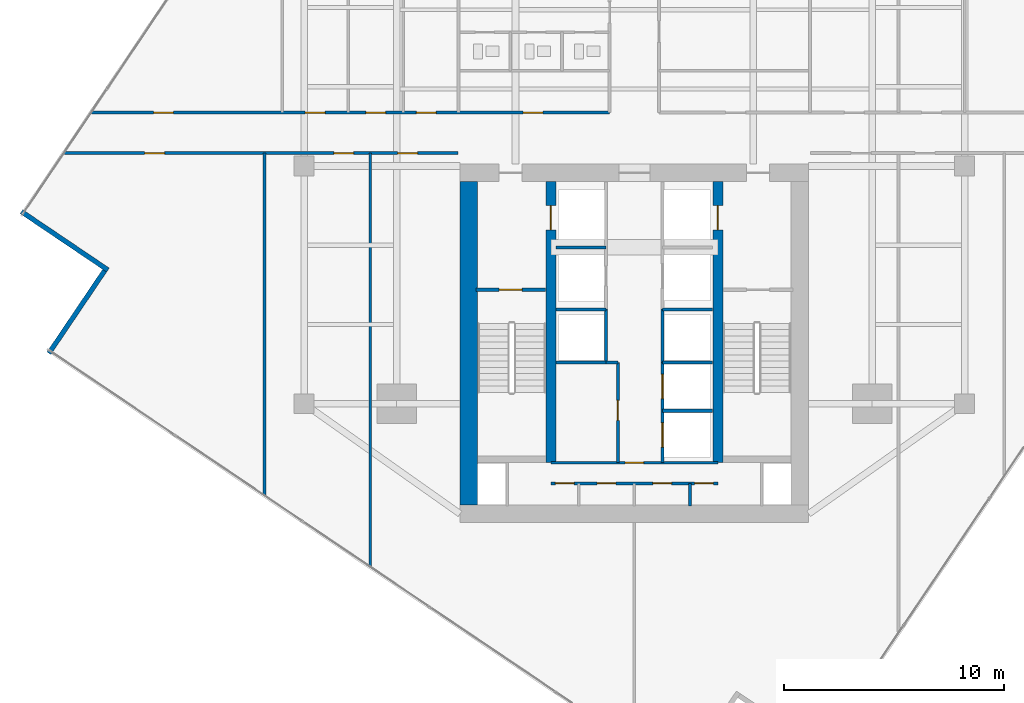
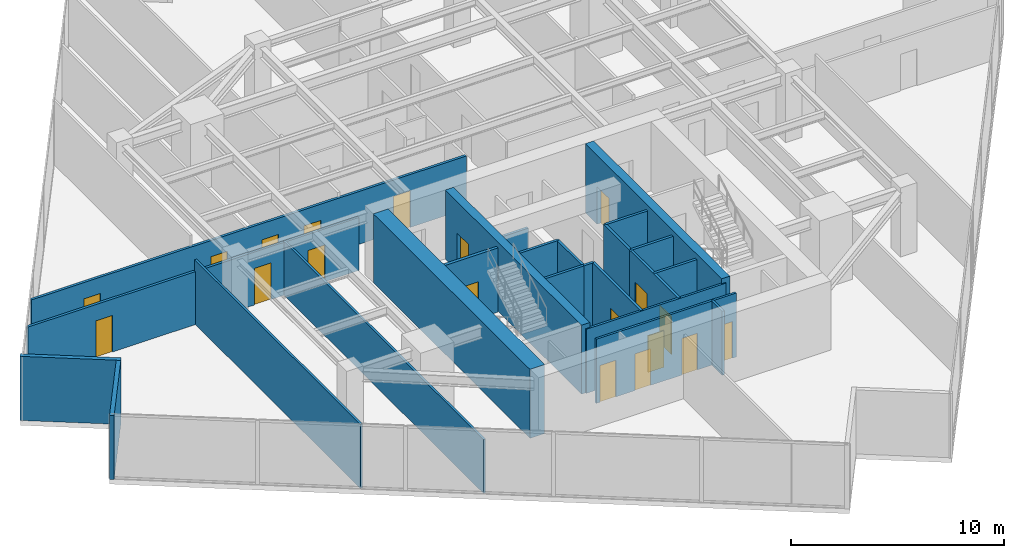
# One storey, part 23 of 27: 24 walls, 19 doors, 19 openings.
"""IFC4 building model written with IfcOpenShell, lengths in metres."""

from ifc_helpers import new_model, si_unit, direction, frame, frame_2d, origin, place, context, subcontext, project, spatial, rectangle, extrude, material, layer, layer_set, type_object, element, fill, save


model = new_model("IFC4")

# Units and contexts
model_context = context("Model", 3, precision=1e-05, world=origin(), true_north=direction((0.0, 1.0)))
body_context = subcontext(model_context, "Body", "Model", "MODEL_VIEW")
ifc_project = project(units=[si_unit("LENGTHUNIT", "METRE"), si_unit("AREAUNIT", "SQUARE_METRE"), si_unit("VOLUMEUNIT", "CUBIC_METRE"), si_unit("PLANEANGLEUNIT", "RADIAN"), si_unit("MASSUNIT", "GRAM", prefix="KILO")], contexts=[model_context])

# Site, building, storey
site_placement = place(None, origin())
site = spatial("IfcSite", under=ifc_project, at=site_placement, CompositionType="ELEMENT")
building_placement = place(site_placement, origin())
building = spatial("IfcBuilding", under=site, at=building_placement, Name="Krantzveldt Concourse Tower", CompositionType="ELEMENT")
storey_placement = place(building_placement, frame((0.0, 0.0, 189.64990234375)))
storey = spatial("IfcBuildingStorey", under=building, at=storey_placement, Name="L46", CompositionType="ELEMENT", Elevation=189.64990234375)

# Walls
ifc_material_1 = material(Name="Anodised aluminium 6063-T6", Category="aluminium")
ifc_layer_1 = layer(ifc_material_1, 0.219970703125, Name="Anodised aluminium 6063-T6", Category="aluminium")
ifc_layer_set_1 = layer_set([ifc_layer_1], Name="Anodised aluminium 6063-T6 (WL-EXT-NOTCH220)")
wall_type_1 = type_object("IfcWallType", Name="WL-EXT-NOTCH220", PredefinedType="ELEMENTEDWALL", material=ifc_layer_set_1)
wall_1_placement = place(storey_placement, frame((8.155029296875, 24.626220703125, 0.0), z_axis=(0.0, 0.0, 1.0), x_axis=(0.829029968461, -0.559204176839, 0.0)))
element("IfcWall", 1, at=wall_1_placement, inside=storey, type_object=wall_type_1, Name="EW-L46-NCH02", PredefinedType="ELEMENTEDWALL", context=body_context, shape_type="SweptSolid", body=[
    extrude(rectangle(XDim=4.744873046875, YDim=0.219970703125, at=frame_2d((2.37255859375, 0.0))), origin(), (0.0, 0.0, 1.0), 3.670166015625),
])
wall_2_placement = place(storey_placement, frame((11.93603515625, 21.943115234375, 0.0), z_axis=(0.0, 0.0, 1.0), x_axis=(-0.559236535969, -0.829008140393, 0.0)))
element("IfcWall", 2, at=wall_2_placement, inside=storey, type_object=wall_type_1, Name="EW-L46-NCH03", PredefinedType="ELEMENTEDWALL", context=body_context, shape_type="SweptSolid", body=[
    extrude(rectangle(XDim=4.52490234375, YDim=0.219970703125, at=frame_2d((2.262451171875, 0.0))), origin(), (0.0, 0.0, 1.0), 3.670166015625),
])

# Wall, opening, door
ifc_material_2 = material(Name="Fire-rated gypsum plasterboard on steel stud", Category="steel")
ifc_layer_2 = layer(ifc_material_2, 0.1201171875, Name="Fire-rated gypsum plasterboard on steel stud", Category="steel")
ifc_layer_set_2 = layer_set([ifc_layer_2], Name="Fire-rated gypsum plasterboard on steel stud (WL-PART-120)")
wall_type_2 = type_object("IfcWallType", Name="WL-PART-120", PredefinedType="PARTITIONING", material=ifc_layer_set_2)
wall_3_placement = place(storey_placement, frame((32.2099609375, 13.219970703125, 0.0), z_axis=(0.0, 0.0, 1.0), x_axis=(1.0, 0.0, 0.0)))
wall_3 = element("IfcWall", 3, at=wall_3_placement, inside=storey, type_object=wall_type_2, Name="WP-L46-CS2H", PredefinedType="PARTITIONING", context=body_context, shape_type="SweptSolid", body=[
    extrude(rectangle(XDim=7.580078125, YDim=0.1201171875, at=frame_2d((3.7900390625, 0.0))), origin(), (0.0, 0.0, 1.0), 3.670166015625),
])
opening_1_placement = place(wall_3_placement, frame((3.364990234375, 0.0, 0.0)))
opening_1 = element("IfcOpeningElement", 4, at=opening_1_placement, cuts=wall_3, Name="Opening D-IN085", PredefinedType="OPENING", context=body_context, shape_type="SweptSolid", body=[
    extrude(rectangle(XDim=0.85009765625, YDim=2.10009765625, at=frame_2d((0.425048828125, 1.050048828125))), frame((0.0, 0.070068359375, 0.0), z_axis=(0.0, -1.0, 0.0), x_axis=(1.0, 0.0, 0.0)), (0.0, 0.0, 1.0), 0.14013671875),
])
ifc_material_3 = material(Name="Hardwood timber", Category="wood")
door_type_1 = type_object("IfcDoorType", Name="DR-INT-850", OperationType="SINGLE_SWING_LEFT", PredefinedType="DOOR", material=ifc_material_3)
door_1_placement = place(opening_1_placement, origin())
door_1 = element("IfcDoor", 5, at=door_1_placement, inside=storey, type_object=door_type_1, Name="DR-L46-LLBS", OperationType="SINGLE_SWING_RIGHT", OverallHeight=2.10009765625, OverallWidth=0.85009765625, PredefinedType="DOOR", context=body_context, shape_type="SweptSolid", body=[
    extrude(rectangle(XDim=0.85009765625, YDim=2.10009765625, at=frame_2d((0.425048828125, 1.050048828125))), frame((0.0, 0.02490234375, 0.0), z_axis=(0.0, -1.0, 0.0), x_axis=(1.0, 0.0, 0.0)), (0.0, 0.0, 1.0), 0.050048828125),
])
fill(opening_1, door_1)

# Wall, openings, doors
wall_4_placement = place(storey_placement, frame((32.2099609375, 12.280029296875, 0.0), z_axis=(0.0, 0.0, 1.0), x_axis=(1.0, 0.0, 0.0)))
wall_4 = element("IfcWall", 6, at=wall_4_placement, inside=storey, type_object=wall_type_2, Name="WP-L46-CSD-HM", PredefinedType="PARTITIONING", context=body_context, shape_type="SweptSolid", body=[
    extrude(rectangle(XDim=7.580078125, YDim=0.1201171875, at=frame_2d((3.7900390625, 0.0))), origin(), (0.0, 0.0, 1.0), 3.670166015625),
])
opening_2_placement = place(wall_4_placement, frame((0.205078125, 0.0, 0.0)))
opening_2 = element("IfcOpeningElement", 7, at=opening_2_placement, cuts=wall_4, Name="Opening D-IN085", PredefinedType="OPENING", context=body_context, shape_type="SweptSolid", body=[
    extrude(rectangle(XDim=0.85009765625, YDim=2.10009765625, at=frame_2d((0.425048828125, 1.050048828125))), frame((0.0, 0.070068359375, 0.0), z_axis=(0.0, -1.0, 0.0), x_axis=(1.0, 0.0, 0.0)), (0.0, 0.0, 1.0), 0.14013671875),
])
opening_3_placement = place(wall_4_placement, frame((2.094970703125, 0.0, 0.0)))
opening_3 = element("IfcOpeningElement", 8, at=opening_3_placement, cuts=wall_4, Name="Opening D-IN085", PredefinedType="OPENING", context=body_context, shape_type="SweptSolid", body=[
    extrude(rectangle(XDim=0.85009765625, YDim=2.10009765625, at=frame_2d((0.425048828125, 1.050048828125))), frame((0.0, 0.070068359375, 0.0), z_axis=(0.0, -1.0, 0.0), x_axis=(1.0, 0.0, 0.0)), (0.0, 0.0, 1.0), 0.14013671875),
])
opening_4_placement = place(wall_4_placement, frame((4.635009765625, 0.0, 0.0)))
opening_4 = element("IfcOpeningElement", 9, at=opening_4_placement, cuts=wall_4, Name="Opening D-IN085", PredefinedType="OPENING", context=body_context, shape_type="SweptSolid", body=[
    extrude(rectangle(XDim=0.85009765625, YDim=2.10009765625, at=frame_2d((0.425048828125, 1.050048828125))), frame((0.0, 0.070068359375, 0.0), z_axis=(0.0, -1.0, 0.0), x_axis=(1.0, 0.0, 0.0)), (0.0, 0.0, 1.0), 0.14013671875),
])
opening_5_placement = place(wall_4_placement, frame((6.52490234375, 0.0, 0.0)))
opening_5 = element("IfcOpeningElement", 10, at=opening_5_placement, cuts=wall_4, Name="Opening D-IN085", PredefinedType="OPENING", context=body_context, shape_type="SweptSolid", body=[
    extrude(rectangle(XDim=0.85009765625, YDim=2.10009765625, at=frame_2d((0.425048828125, 1.050048828125))), frame((0.0, 0.070068359375, 0.0), z_axis=(0.0, -1.0, 0.0), x_axis=(1.0, 0.0, 0.0)), (0.0, 0.0, 1.0), 0.14013671875),
])
door_2_placement = place(opening_2_placement, origin())
door_2 = element("IfcDoor", 11, at=door_2_placement, inside=storey, type_object=door_type_1, Name="DR-L46-CSD1", OperationType="SINGLE_SWING_RIGHT", OverallHeight=2.10009765625, OverallWidth=0.85009765625, PredefinedType="DOOR", context=body_context, shape_type="SweptSolid", body=[
    extrude(rectangle(XDim=0.85009765625, YDim=2.10009765625, at=frame_2d((0.425048828125, 1.050048828125))), frame((0.0, 0.02490234375, 0.0), z_axis=(0.0, -1.0, 0.0), x_axis=(1.0, 0.0, 0.0)), (0.0, 0.0, 1.0), 0.050048828125),
])
fill(opening_2, door_2)
door_3_placement = place(opening_3_placement, origin())
door_3 = element("IfcDoor", 12, at=door_3_placement, inside=storey, type_object=door_type_1, Name="DR-L46-CSD2", OperationType="SINGLE_SWING_RIGHT", OverallHeight=2.10009765625, OverallWidth=0.85009765625, PredefinedType="DOOR", context=body_context, shape_type="SweptSolid", body=[
    extrude(rectangle(XDim=0.85009765625, YDim=2.10009765625, at=frame_2d((0.425048828125, 1.050048828125))), frame((0.0, 0.02490234375, 0.0), z_axis=(0.0, -1.0, 0.0), x_axis=(1.0, 0.0, 0.0)), (0.0, 0.0, 1.0), 0.050048828125),
])
fill(opening_3, door_3)
door_4_placement = place(opening_4_placement, origin())
door_4 = element("IfcDoor", 13, at=door_4_placement, inside=storey, type_object=door_type_1, Name="DR-L46-CSD3", OperationType="SINGLE_SWING_RIGHT", OverallHeight=2.10009765625, OverallWidth=0.85009765625, PredefinedType="DOOR", context=body_context, shape_type="SweptSolid", body=[
    extrude(rectangle(XDim=0.85009765625, YDim=2.10009765625, at=frame_2d((0.425048828125, 1.050048828125))), frame((0.0, 0.02490234375, 0.0), z_axis=(0.0, -1.0, 0.0), x_axis=(1.0, 0.0, 0.0)), (0.0, 0.0, 1.0), 0.050048828125),
])
fill(opening_4, door_4)
door_5_placement = place(opening_5_placement, origin())
door_5 = element("IfcDoor", 14, at=door_5_placement, inside=storey, type_object=door_type_1, Name="DR-L46-CSD4", OperationType="SINGLE_SWING_RIGHT", OverallHeight=2.10009765625, OverallWidth=0.85009765625, PredefinedType="DOOR", context=body_context, shape_type="SweptSolid", body=[
    extrude(rectangle(XDim=0.85009765625, YDim=2.10009765625, at=frame_2d((0.425048828125, 1.050048828125))), frame((0.0, 0.02490234375, 0.0), z_axis=(0.0, -1.0, 0.0), x_axis=(1.0, 0.0, 0.0)), (0.0, 0.0, 1.0), 0.050048828125),
])
fill(opening_5, door_5)

# Walls
wall_5_placement = place(storey_placement, frame((38.530029296875, 11.25, 0.0), z_axis=(0.0, 0.0, 1.0), x_axis=(0.0, 1.0, 0.0)))
element("IfcWall", 15, at=wall_5_placement, inside=storey, type_object=wall_type_2, Name="WP-L46-CSD-V3", PredefinedType="PARTITIONING", context=body_context, shape_type="SweptSolid", body=[
    extrude(rectangle(XDim=1.030029296875, YDim=0.1201171875, at=frame_2d((0.51513671875, 0.0))), origin(), (0.0, 0.0, 1.0), 3.670166015625),
])
wall_6_placement = place(storey_placement, frame((19.199951171875, 11.72412109375, 0.0), z_axis=(0.0, 0.0, 1.0), x_axis=(0.0, 1.0, 0.0)))
element("IfcWall", 16, at=wall_6_placement, inside=storey, type_object=wall_type_2, Name="WP-L46-SWX1", PredefinedType="PARTITIONING", context=body_context, shape_type="SweptSolid", body=[
    extrude(rectangle(XDim=15.555908203125, YDim=0.1201171875, at=frame_2d((7.77783203125, 0.0))), origin(), (0.0, 0.0, 1.0), 3.670166015625),
])
wall_7_placement = place(storey_placement, frame((24.0, 8.486572265625, 0.0), z_axis=(0.0, 0.0, 1.0), x_axis=(0.0, 1.0, 0.0)))
element("IfcWall", 17, at=wall_7_placement, inside=storey, type_object=wall_type_2, Name="WP-L46-SWX2", PredefinedType="PARTITIONING", context=body_context, shape_type="SweptSolid", body=[
    extrude(rectangle(XDim=18.79345703125, YDim=0.1201171875, at=frame_2d((9.396728515625, 0.0))), origin(), (0.0, 0.0, 1.0), 3.080078125),
])

# Wall, openings, doors
ifc_layer_3 = layer(ifc_material_2, 0.139892578125, Name="Fire-rated gypsum plasterboard on steel stud", Category="steel")
ifc_layer_set_3 = layer_set([ifc_layer_3], Name="Fire-rated gypsum plasterboard on steel stud (WL-PART-140)")
wall_type_3 = type_object("IfcWallType", Name="WL-PART-140", PredefinedType="PARTITIONING", material=ifc_layer_set_3)
wall_8_placement = place(storey_placement, frame((11.32470703125, 29.1201171875, 0.0), z_axis=(0.0, 0.0, 1.0), x_axis=(1.0, 0.0, 0.0)))
wall_8 = element("IfcWall", 18, at=wall_8_placement, inside=storey, type_object=wall_type_3, Name="WP-L46-EWNL", PredefinedType="PARTITIONING", context=body_context, shape_type="SweptSolid", body=[
    extrude(rectangle(XDim=23.55517578125, YDim=0.139892578125, at=frame_2d((11.777587890625, 0.0))), origin(), (0.0, 0.0, 1.0), 3.030029296875),
])
opening_6_placement = place(wall_8_placement, frame((19.625244140625, 0.0, 0.0)))
opening_6 = element("IfcOpeningElement", 19, at=opening_6_placement, cuts=wall_8, Name="Opening D-IN090", PredefinedType="OPENING", context=body_context, shape_type="SweptSolid", body=[
    extrude(rectangle(XDim=0.89990234375, YDim=2.10009765625, at=frame_2d((0.449951171875, 1.050048828125))), frame((0.0, 0.080078125, 0.0), z_axis=(0.0, -1.0, 0.0), x_axis=(1.0, 0.0, 0.0)), (0.0, 0.0, 1.0), 0.159912109375),
])
opening_7_placement = place(wall_8_placement, frame((2.835205078125, 0.0, 0.0)))
opening_7 = element("IfcOpeningElement", 20, at=opening_7_placement, cuts=wall_8, Name="Opening D-IN090", PredefinedType="OPENING", context=body_context, shape_type="SweptSolid", body=[
    extrude(rectangle(XDim=0.89990234375, YDim=2.10009765625, at=frame_2d((0.449951171875, 1.050048828125))), frame((0.0, 0.080078125, 0.0), z_axis=(0.0, -1.0, 0.0), x_axis=(1.0, 0.0, 0.0)), (0.0, 0.0, 1.0), 0.159912109375),
])
opening_8_placement = place(wall_8_placement, frame((9.725341796875, 0.0, 0.0)))
opening_8 = element("IfcOpeningElement", 21, at=opening_8_placement, cuts=wall_8, Name="Opening D-IN090", PredefinedType="OPENING", context=body_context, shape_type="SweptSolid", body=[
    extrude(rectangle(XDim=0.89990234375, YDim=2.10009765625, at=frame_2d((0.449951171875, 1.050048828125))), frame((0.0, 0.080078125, 0.0), z_axis=(0.0, -1.0, 0.0), x_axis=(1.0, 0.0, 0.0)), (0.0, 0.0, 1.0), 0.159912109375),
])
opening_9_placement = place(wall_8_placement, frame((12.475341796875, 0.0, 0.0)))
opening_9 = element("IfcOpeningElement", 22, at=opening_9_placement, cuts=wall_8, Name="Opening D-IN090", PredefinedType="OPENING", context=body_context, shape_type="SweptSolid", body=[
    extrude(rectangle(XDim=0.89990234375, YDim=2.10009765625, at=frame_2d((0.449951171875, 1.050048828125))), frame((0.0, 0.080078125, 0.0), z_axis=(0.0, -1.0, 0.0), x_axis=(1.0, 0.0, 0.0)), (0.0, 0.0, 1.0), 0.159912109375),
])
opening_10_placement = place(wall_8_placement, frame((14.775390625, 0.0, 0.0)))
opening_10 = element("IfcOpeningElement", 23, at=opening_10_placement, cuts=wall_8, Name="Opening D-IN090", PredefinedType="OPENING", context=body_context, shape_type="SweptSolid", body=[
    extrude(rectangle(XDim=0.89990234375, YDim=2.10009765625, at=frame_2d((0.449951171875, 1.050048828125))), frame((0.0, 0.080078125, 0.0), z_axis=(0.0, -1.0, 0.0), x_axis=(1.0, 0.0, 0.0)), (0.0, 0.0, 1.0), 0.159912109375),
])
door_type_2 = type_object("IfcDoorType", Name="DR-INT-900", OperationType="SINGLE_SWING_LEFT", PredefinedType="DOOR", material=ifc_material_3)
door_6_placement = place(opening_6_placement, origin())
door_6 = element("IfcDoor", 24, at=door_6_placement, inside=storey, type_object=door_type_2, Name="DR-L46-ALCL", OperationType="SINGLE_SWING_LEFT", OverallHeight=2.10009765625, OverallWidth=0.89990234375, PredefinedType="DOOR", context=body_context, shape_type="SweptSolid", body=[
    extrude(rectangle(XDim=0.89990234375, YDim=2.10009765625, at=frame_2d((0.449951171875, 1.050048828125))), frame((0.0, 0.02490234375, 0.0), z_axis=(0.0, -1.0, 0.0), x_axis=(1.0, 0.0, 0.0)), (0.0, 0.0, 1.0), 0.050048828125),
])
fill(opening_6, door_6)
door_7_placement = place(opening_7_placement, origin())
door_7 = element("IfcDoor", 25, at=door_7_placement, inside=storey, type_object=door_type_2, Name="DR-L46-NWX1", OperationType="SINGLE_SWING_LEFT", OverallHeight=2.10009765625, OverallWidth=0.89990234375, PredefinedType="DOOR", context=body_context, shape_type="SweptSolid", body=[
    extrude(rectangle(XDim=0.89990234375, YDim=2.10009765625, at=frame_2d((0.449951171875, 1.050048828125))), frame((0.0, 0.02490234375, 0.0), z_axis=(0.0, -1.0, 0.0), x_axis=(1.0, 0.0, 0.0)), (0.0, 0.0, 1.0), 0.050048828125),
])
fill(opening_7, door_7)
door_8_placement = place(opening_8_placement, origin())
door_8 = element("IfcDoor", 26, at=door_8_placement, inside=storey, type_object=door_type_2, Name="DR-L46-NWX2", OperationType="SINGLE_SWING_LEFT", OverallHeight=2.10009765625, OverallWidth=0.89990234375, PredefinedType="DOOR", context=body_context, shape_type="SweptSolid", body=[
    extrude(rectangle(XDim=0.89990234375, YDim=2.10009765625, at=frame_2d((0.449951171875, 1.050048828125))), frame((0.0, 0.02490234375, 0.0), z_axis=(0.0, -1.0, 0.0), x_axis=(1.0, 0.0, 0.0)), (0.0, 0.0, 1.0), 0.050048828125),
])
fill(opening_8, door_8)
door_9_placement = place(opening_9_placement, origin())
door_9 = element("IfcDoor", 27, at=door_9_placement, inside=storey, type_object=door_type_2, Name="DR-L46-NWX3", OperationType="SINGLE_SWING_LEFT", OverallHeight=2.10009765625, OverallWidth=0.89990234375, PredefinedType="DOOR", context=body_context, shape_type="SweptSolid", body=[
    extrude(rectangle(XDim=0.89990234375, YDim=2.10009765625, at=frame_2d((0.449951171875, 1.050048828125))), frame((0.0, 0.02490234375, 0.0), z_axis=(0.0, -1.0, 0.0), x_axis=(1.0, 0.0, 0.0)), (0.0, 0.0, 1.0), 0.050048828125),
])
fill(opening_9, door_9)
door_10_placement = place(opening_10_placement, origin())
door_10 = element("IfcDoor", 28, at=door_10_placement, inside=storey, type_object=door_type_2, Name="DR-L46-NWX4", OperationType="SINGLE_SWING_LEFT", OverallHeight=2.10009765625, OverallWidth=0.89990234375, PredefinedType="DOOR", context=body_context, shape_type="SweptSolid", body=[
    extrude(rectangle(XDim=0.89990234375, YDim=2.10009765625, at=frame_2d((0.449951171875, 1.050048828125))), frame((0.0, 0.02490234375, 0.0), z_axis=(0.0, -1.0, 0.0), x_axis=(1.0, 0.0, 0.0)), (0.0, 0.0, 1.0), 0.050048828125),
])
fill(opening_10, door_10)

wall_9_placement = place(storey_placement, frame((10.08349609375, 27.280029296875, 0.0), z_axis=(0.0, 0.0, 1.0), x_axis=(1.0, 0.0, 0.0)))
wall_9 = element("IfcWall", 29, at=wall_9_placement, inside=storey, type_object=wall_type_3, Name="WP-L46-EWSL", PredefinedType="PARTITIONING", context=body_context, shape_type="SweptSolid", body=[
    extrude(rectangle(XDim=17.91650390625, YDim=0.139892578125, at=frame_2d((8.958251953125, 0.0))), origin(), (0.0, 0.0, 1.0), 3.030029296875),
])
opening_11_placement = place(wall_9_placement, frame((3.676513671875, 0.0, 0.0)))
opening_11 = element("IfcOpeningElement", 30, at=opening_11_placement, cuts=wall_9, Name="Opening D-IN090", PredefinedType="OPENING", context=body_context, shape_type="SweptSolid", body=[
    extrude(rectangle(XDim=0.89990234375, YDim=2.10009765625, at=frame_2d((0.449951171875, 1.050048828125))), frame((0.0, 0.080078125, 0.0), z_axis=(0.0, -1.0, 0.0), x_axis=(1.0, 0.0, 0.0)), (0.0, 0.0, 1.0), 0.159912109375),
])
opening_12_placement = place(wall_9_placement, frame((12.266357421875, 0.0, 0.0)))
opening_12 = element("IfcOpeningElement", 31, at=opening_12_placement, cuts=wall_9, Name="Opening D-IN090", PredefinedType="OPENING", context=body_context, shape_type="SweptSolid", body=[
    extrude(rectangle(XDim=0.89990234375, YDim=2.10009765625, at=frame_2d((0.449951171875, 1.050048828125))), frame((0.0, 0.080078125, 0.0), z_axis=(0.0, -1.0, 0.0), x_axis=(1.0, 0.0, 0.0)), (0.0, 0.0, 1.0), 0.159912109375),
])
opening_13_placement = place(wall_9_placement, frame((15.16650390625, 0.0, 0.0)))
opening_13 = element("IfcOpeningElement", 32, at=opening_13_placement, cuts=wall_9, Name="Opening D-IN090", PredefinedType="OPENING", context=body_context, shape_type="SweptSolid", body=[
    extrude(rectangle(XDim=0.89990234375, YDim=2.10009765625, at=frame_2d((0.449951171875, 1.050048828125))), frame((0.0, 0.080078125, 0.0), z_axis=(0.0, -1.0, 0.0), x_axis=(1.0, 0.0, 0.0)), (0.0, 0.0, 1.0), 0.159912109375),
])
door_11_placement = place(opening_11_placement, origin())
door_11 = element("IfcDoor", 33, at=door_11_placement, inside=storey, type_object=door_type_2, Name="DR-L46-SWX1", OperationType="SINGLE_SWING_LEFT", OverallHeight=2.10009765625, OverallWidth=0.89990234375, PredefinedType="DOOR", context=body_context, shape_type="SweptSolid", body=[
    extrude(rectangle(XDim=0.89990234375, YDim=2.10009765625, at=frame_2d((0.449951171875, 1.050048828125))), frame((0.0, 0.02490234375, 0.0), z_axis=(0.0, -1.0, 0.0), x_axis=(1.0, 0.0, 0.0)), (0.0, 0.0, 1.0), 0.050048828125),
])
fill(opening_11, door_11)
door_12_placement = place(opening_12_placement, origin())
door_12 = element("IfcDoor", 34, at=door_12_placement, inside=storey, type_object=door_type_2, Name="DR-L46-SWX2", OperationType="SINGLE_SWING_LEFT", OverallHeight=2.10009765625, OverallWidth=0.89990234375, PredefinedType="DOOR", context=body_context, shape_type="SweptSolid", body=[
    extrude(rectangle(XDim=0.89990234375, YDim=2.10009765625, at=frame_2d((0.449951171875, 1.050048828125))), frame((0.0, 0.02490234375, 0.0), z_axis=(0.0, -1.0, 0.0), x_axis=(1.0, 0.0, 0.0)), (0.0, 0.0, 1.0), 0.050048828125),
])
fill(opening_12, door_12)
door_13_placement = place(opening_13_placement, origin())
door_13 = element("IfcDoor", 35, at=door_13_placement, inside=storey, type_object=door_type_2, Name="DR-L46-SWX3", OperationType="SINGLE_SWING_LEFT", OverallHeight=2.10009765625, OverallWidth=0.89990234375, PredefinedType="DOOR", context=body_context, shape_type="SweptSolid", body=[
    extrude(rectangle(XDim=0.89990234375, YDim=2.10009765625, at=frame_2d((0.449951171875, 1.050048828125))), frame((0.0, 0.02490234375, 0.0), z_axis=(0.0, -1.0, 0.0), x_axis=(1.0, 0.0, 0.0)), (0.0, 0.0, 1.0), 0.050048828125),
])
fill(opening_13, door_13)

# Walls
ifc_layer_4 = layer(ifc_material_2, 0.139892578125, Name="Fire-rated gypsum plasterboard on steel stud", Category="steel")
ifc_layer_set_4 = layer_set([ifc_layer_4], Name="Fire-rated gypsum plasterboard on steel stud (WL-PART-FR140)")
wall_type_4 = type_object("IfcWallType", Name="WL-PART-FR140", PredefinedType="PARTITIONING", material=ifc_layer_set_4)
wall_10_placement = place(storey_placement, frame((32.449951171875, 23.0, 0.0), z_axis=(0.0, 0.0, 1.0), x_axis=(1.0, 0.0, 0.0)))
element("IfcWall", 36, at=wall_10_placement, inside=storey, type_object=wall_type_4, Name="WP-L46-RISH", PredefinedType="PARTITIONING", context=body_context, shape_type="SweptSolid", body=[
    extrude(rectangle(XDim=2.27001953125, YDim=0.139892578125, at=frame_2d((1.135009765625, 0.0))), origin(), (0.0, 0.0, 1.0), 2.670166015625),
])
for number, where, z_axis, x_axis, name in (
    (37, (34.719970703125, 17.780029296875, 0.0), (0.0, 0.0, 1.0), (0.0, 1.0, 0.0), "WP-L46-SHNW2"),
    (38, (37.280029296875, 17.780029296875, 0.0), (0.0, 0.0, 1.0), (0.0, 1.0, 0.0), "WP-L46-SHNE2"),
):
    element("IfcWall", number, at=place(storey_placement, frame(where, z_axis=z_axis, x_axis=x_axis)), inside=storey, type_object=wall_type_4, Name=name, PredefinedType="PARTITIONING", context=body_context, shape_type="SweptSolid", body=[
        extrude(rectangle(XDim=2.419921875, YDim=0.139892578125, at=frame_2d((1.2099609375, 0.0))), origin(), (0.0, 0.0, 1.0), 3.670166015625),
    ])
for number, where, z_axis, x_axis, name in (
    (39, (32.449951171875, 17.780029296875, 0.0), (0.0, 0.0, 1.0), (1.0, 0.0, 0.0), "WP-L46-DIVW2"),
    (40, (32.449951171875, 20.179931640625, 0.0), (0.0, 0.0, 1.0), (1.0, 0.0, 0.0), "WP-L46-DIVW3"),
    (41, (37.280029296875, 17.780029296875, 0.0), (0.0, 0.0, 1.0), (1.0, 0.0, 0.0), "WP-L46-DIVE2"),
    (42, (37.280029296875, 20.179931640625, 0.0), (0.0, 0.0, 1.0), (1.0, 0.0, 0.0), "WP-L46-DIVE3"),
):
    element("IfcWall", number, at=place(storey_placement, frame(where, z_axis=z_axis, x_axis=x_axis)), inside=storey, type_object=wall_type_4, Name=name, PredefinedType="PARTITIONING", context=body_context, shape_type="SweptSolid", body=[
        extrude(rectangle(XDim=2.27001953125, YDim=0.139892578125, at=frame_2d((1.135009765625, 0.0))), origin(), (0.0, 0.0, 1.0), 3.670166015625),
    ])

# Wall, opening, door
wall_11_placement = place(storey_placement, frame((35.25, 13.219970703125, 0.0), z_axis=(0.0, 0.0, 1.0), x_axis=(0.0, 1.0, 0.0)))
wall_11 = element("IfcWall", 43, at=wall_11_placement, inside=storey, type_object=wall_type_4, Name="WP-L46-RECW", PredefinedType="PARTITIONING", context=body_context, shape_type="SweptSolid", body=[
    extrude(rectangle(XDim=4.56005859375, YDim=0.139892578125, at=frame_2d((2.280029296875, 0.0))), origin(), (0.0, 0.0, 1.0), 3.670166015625),
])
opening_14_placement = place(wall_11_placement, frame((1.929931640625, 0.0, 0.0)))
opening_14 = element("IfcOpeningElement", 44, at=opening_14_placement, cuts=wall_11, Name="Opening D-FD090", PredefinedType="OPENING", context=body_context, shape_type="SweptSolid", body=[
    extrude(rectangle(XDim=0.89990234375, YDim=2.10009765625, at=frame_2d((0.449951171875, 1.050048828125))), frame((0.0, 0.080078125, 0.0), z_axis=(0.0, -1.0, 0.0), x_axis=(1.0, 0.0, 0.0)), (0.0, 0.0, 1.0), 0.159912109375),
])
door_type_3 = type_object("IfcDoorType", Name="DR-FD60-900", OperationType="SINGLE_SWING_LEFT", PredefinedType="DOOR", material=ifc_material_3)
door_14_placement = place(opening_14_placement, origin())
door_14 = element("IfcDoor", 45, at=door_14_placement, inside=storey, type_object=door_type_3, Name="DR-L46-RECW", OperationType="SINGLE_SWING_LEFT", OverallHeight=2.10009765625, OverallWidth=0.89990234375, PredefinedType="DOOR", context=body_context, shape_type="SweptSolid", body=[
    extrude(rectangle(XDim=0.89990234375, YDim=2.10009765625, at=frame_2d((0.449951171875, 1.050048828125))), frame((0.0, 0.02490234375, 0.0), z_axis=(0.0, -1.0, 0.0), x_axis=(1.0, 0.0, 0.0)), (0.0, 0.0, 1.0), 0.050048828125),
])
fill(opening_14, door_14)

# Wall
wall_12_placement = place(storey_placement, frame((34.719970703125, 17.780029296875, 0.0), z_axis=(0.0, 0.0, 1.0), x_axis=(1.0, 0.0, 0.0)))
element("IfcWall", 46, at=wall_12_placement, inside=storey, type_object=wall_type_4, Name="WP-L46-RECWN", PredefinedType="PARTITIONING", context=body_context, shape_type="SweptSolid", body=[
    extrude(rectangle(XDim=0.530029296875, YDim=0.139892578125, at=frame_2d((0.26513671875, 0.0))), origin(), (0.0, 0.0, 1.0), 3.670166015625),
])

# Wall, openings, doors
wall_13_placement = place(storey_placement, frame((37.280029296875, 13.219970703125, 0.0), z_axis=(0.0, 0.0, 1.0), x_axis=(0.0, 1.0, 0.0)))
wall_13 = element("IfcWall", 47, at=wall_13_placement, inside=storey, type_object=wall_type_4, Name="WP-L46-SHSE", PredefinedType="PARTITIONING", context=body_context, shape_type="SweptSolid", body=[
    extrude(rectangle(XDim=4.56005859375, YDim=0.139892578125, at=frame_2d((2.280029296875, 0.0))), origin(), (0.0, 0.0, 1.0), 3.670166015625),
])
opening_15_placement = place(wall_13_placement, frame((0.7099609375, 0.0, 0.0)))
opening_15 = element("IfcOpeningElement", 48, at=opening_15_placement, cuts=wall_13, Name="Opening LD", PredefinedType="OPENING", context=body_context, shape_type="SweptSolid", body=[
    extrude(rectangle(XDim=1.10009765625, YDim=2.14990234375, at=frame_2d((0.550048828125, 1.074951171875))), frame((0.0, 0.080078125, 0.0), z_axis=(0.0, -1.0, 0.0), x_axis=(1.0, 0.0, 0.0)), (0.0, 0.0, 1.0), 0.159912109375),
])
opening_16_placement = place(wall_13_placement, frame((2.909912109375, 0.0, 0.0)))
opening_16 = element("IfcOpeningElement", 49, at=opening_16_placement, cuts=wall_13, Name="Opening LD", PredefinedType="OPENING", context=body_context, shape_type="SweptSolid", body=[
    extrude(rectangle(XDim=1.10009765625, YDim=2.14990234375, at=frame_2d((0.550048828125, 1.074951171875))), frame((0.0, 0.080078125, 0.0), z_axis=(0.0, -1.0, 0.0), x_axis=(1.0, 0.0, 0.0)), (0.0, 0.0, 1.0), 0.159912109375),
])
ifc_material_4 = material(Name="Stainless steel 316L", Category="steel")
door_type_4 = type_object("IfcDoorType", Name="DR-SLIDE-LD1100", OperationType="DOUBLE_DOOR_SLIDING", PredefinedType="DOOR", material=ifc_material_4)
door_15_placement = place(opening_15_placement, origin())
door_15 = element("IfcDoor", 50, at=door_15_placement, inside=storey, type_object=door_type_4, Name="LD-L46-PM1", OperationType="DOUBLE_DOOR_SLIDING", OverallHeight=2.14990234375, OverallWidth=1.10009765625, PredefinedType="DOOR", context=body_context, shape_type="SweptSolid", body=[
    extrude(rectangle(XDim=1.10009765625, YDim=2.14990234375, at=frame_2d((0.550048828125, 1.074951171875))), frame((0.0, 0.02490234375, 0.0), z_axis=(0.0, -1.0, 0.0), x_axis=(1.0, 0.0, 0.0)), (0.0, 0.0, 1.0), 0.050048828125),
])
fill(opening_15, door_15)
door_16_placement = place(opening_16_placement, origin())
door_16 = element("IfcDoor", 51, at=door_16_placement, inside=storey, type_object=door_type_4, Name="LD-L46-PM2", OperationType="DOUBLE_DOOR_SLIDING", OverallHeight=2.14990234375, OverallWidth=1.10009765625, PredefinedType="DOOR", context=body_context, shape_type="SweptSolid", body=[
    extrude(rectangle(XDim=1.10009765625, YDim=2.14990234375, at=frame_2d((0.550048828125, 1.074951171875))), frame((0.0, 0.02490234375, 0.0), z_axis=(0.0, -1.0, 0.0), x_axis=(1.0, 0.0, 0.0)), (0.0, 0.0, 1.0), 0.050048828125),
])
fill(opening_16, door_16)

# Wall
wall_14_placement = place(storey_placement, frame((37.280029296875, 15.580078125, 0.0), z_axis=(0.0, 0.0, 1.0), x_axis=(1.0, 0.0, 0.0)))
element("IfcWall", 52, at=wall_14_placement, inside=storey, type_object=wall_type_4, Name="WP-L46-DIVE1", PredefinedType="PARTITIONING", context=body_context, shape_type="SweptSolid", body=[
    extrude(rectangle(XDim=2.27001953125, YDim=0.139892578125, at=frame_2d((1.135009765625, 0.0))), origin(), (0.0, 0.0, 1.0), 3.670166015625),
])

# Wall, opening, door
ifc_layer_5 = layer(ifc_material_2, 0.159912109375, Name="Fire-rated gypsum plasterboard on steel stud", Category="steel")
ifc_layer_set_5 = layer_set([ifc_layer_5], Name="Fire-rated gypsum plasterboard on steel stud (WL-PART-FR160)")
wall_type_5 = type_object("IfcWallType", Name="WL-PART-FR160", PredefinedType="PARTITIONING", material=ifc_layer_set_5)
wall_15_placement = place(storey_placement, frame((28.800048828125, 21.080078125, 0.0), z_axis=(0.0, 0.0, 1.0), x_axis=(1.0, 0.0, 0.0)))
wall_15 = element("IfcWall", 53, at=wall_15_placement, inside=storey, type_object=wall_type_5, Name="WP-L46-ST1", PredefinedType="PARTITIONING", context=body_context, shape_type="SweptSolid", body=[
    extrude(rectangle(XDim=3.159912109375, YDim=0.159912109375, at=frame_2d((1.580078125, 0.0))), origin(), (0.0, 0.0, 1.0), 3.670166015625),
])
opening_17_placement = place(wall_15_placement, frame((1.054931640625, 0.0, 0.0)))
opening_17 = element("IfcOpeningElement", 54, at=opening_17_placement, cuts=wall_15, Name="Opening D-FD105", PredefinedType="OPENING", context=body_context, shape_type="SweptSolid", body=[
    extrude(rectangle(XDim=1.050048828125, YDim=2.10009765625, at=frame_2d((0.52490234375, 1.050048828125))), frame((0.0, 0.08984375, 0.0), z_axis=(0.0, -1.0, 0.0), x_axis=(1.0, 0.0, 0.0)), (0.0, 0.0, 1.0), 0.179931640625),
])
ifc_material_5 = material(Name="Galvanised steel", Category="steel")
door_type_5 = type_object("IfcDoorType", Name="DR-FD120-1050", OperationType="SINGLE_SWING_LEFT", PredefinedType="DOOR", material=ifc_material_5)
door_17_placement = place(opening_17_placement, origin())
door_17 = element("IfcDoor", 55, at=door_17_placement, inside=storey, type_object=door_type_5, Name="DR-L46-ST1", OperationType="SINGLE_SWING_RIGHT", OverallHeight=2.10009765625, OverallWidth=1.050048828125, PredefinedType="DOOR", context=body_context, shape_type="SweptSolid", body=[
    extrude(rectangle(XDim=1.050048828125, YDim=2.10009765625, at=frame_2d((0.52490234375, 1.050048828125))), frame((0.0, 0.02490234375, 0.0), z_axis=(0.0, -1.0, 0.0), x_axis=(1.0, 0.0, 0.0)), (0.0, 0.0, 1.0), 0.050048828125),
])
fill(opening_17, door_17)

ifc_material_6 = material(Name="Concrete C50/60", Category="concrete")
ifc_layer_6 = layer(ifc_material_6, 0.449951171875, Name="Concrete C50/60", Category="concrete")
ifc_layer_set_6 = layer_set([ifc_layer_6], Name="Concrete C50/60 (WL-SHEAR-450)")
wall_type_6 = type_object("IfcWallType", Name="WL-SHEAR-450", PredefinedType="SHEAR", material=ifc_layer_set_6)
wall_16_placement = place(storey_placement, frame((32.205078125, 13.219970703125, 0.0), z_axis=(0.0, 0.0, 1.0), x_axis=(0.0, 1.0, 0.0)))
wall_16 = element("IfcWall", 56, at=wall_16_placement, inside=storey, type_object=wall_type_6, Name="CW-L46-IW", PredefinedType="SHEAR", context=body_context, shape_type="SweptSolid", body=[
    extrude(rectangle(XDim=12.780029296875, YDim=0.449951171875, at=frame_2d((6.39013671875, 0.0))), origin(), (0.0, 0.0, 1.0), 3.9501953125),
])
opening_18_placement = place(wall_16_placement, frame((10.580078125, 0.0, 0.0)))
opening_18 = element("IfcOpeningElement", 57, at=opening_18_placement, cuts=wall_16, Name="Opening LD", PredefinedType="OPENING", context=body_context, shape_type="SweptSolid", body=[
    extrude(rectangle(XDim=1.10009765625, YDim=2.14990234375, at=frame_2d((0.550048828125, 1.074951171875))), frame((0.0, 0.23486328125, 0.0), z_axis=(0.0, -1.0, 0.0), x_axis=(1.0, 0.0, 0.0)), (0.0, 0.0, 1.0), 0.469970703125),
])
door_18_placement = place(opening_18_placement, origin())
door_18 = element("IfcDoor", 58, at=door_18_placement, inside=storey, type_object=door_type_4, Name="LD-L46-FL1", OperationType="DOUBLE_DOOR_SLIDING", OverallHeight=2.14990234375, OverallWidth=1.10009765625, PredefinedType="DOOR", context=body_context, shape_type="SweptSolid", body=[
    extrude(rectangle(XDim=1.10009765625, YDim=2.14990234375, at=frame_2d((0.550048828125, 1.074951171875))), frame((0.0, 0.02490234375, 0.0), z_axis=(0.0, -1.0, 0.0), x_axis=(1.0, 0.0, 0.0)), (0.0, 0.0, 1.0), 0.050048828125),
])
fill(opening_18, door_18)

wall_17_placement = place(storey_placement, frame((39.794921875, 13.219970703125, 0.0), z_axis=(0.0, 0.0, 1.0), x_axis=(0.0, 1.0, 0.0)))
wall_17 = element("IfcWall", 59, at=wall_17_placement, inside=storey, type_object=wall_type_6, Name="CW-L46-IE", PredefinedType="SHEAR", context=body_context, shape_type="SweptSolid", body=[
    extrude(rectangle(XDim=12.780029296875, YDim=0.449951171875, at=frame_2d((6.39013671875, 0.0))), origin(), (0.0, 0.0, 1.0), 3.9501953125),
])
opening_19_placement = place(wall_17_placement, frame((10.580078125, 0.0, 0.0)))
opening_19 = element("IfcOpeningElement", 60, at=opening_19_placement, cuts=wall_17, Name="Opening LD", PredefinedType="OPENING", context=body_context, shape_type="SweptSolid", body=[
    extrude(rectangle(XDim=1.10009765625, YDim=2.14990234375, at=frame_2d((0.550048828125, 1.074951171875))), frame((0.0, 0.23486328125, 0.0), z_axis=(0.0, -1.0, 0.0), x_axis=(1.0, 0.0, 0.0)), (0.0, 0.0, 1.0), 0.469970703125),
])
door_19_placement = place(opening_19_placement, origin())
door_19 = element("IfcDoor", 61, at=door_19_placement, inside=storey, type_object=door_type_4, Name="LD-L46-FL2", OperationType="DOUBLE_DOOR_SLIDING", OverallHeight=2.14990234375, OverallWidth=1.10009765625, PredefinedType="DOOR", context=body_context, shape_type="SweptSolid", body=[
    extrude(rectangle(XDim=1.10009765625, YDim=2.14990234375, at=frame_2d((0.550048828125, 1.074951171875))), frame((0.0, 0.02490234375, 0.0), z_axis=(0.0, -1.0, 0.0), x_axis=(1.0, 0.0, 0.0)), (0.0, 0.0, 1.0), 0.050048828125),
])
fill(opening_19, door_19)

# Wall
ifc_material_7 = material(Name="Concrete C60/75", Category="concrete")
ifc_layer_7 = layer(ifc_material_7, 0.800048828125, Name="Concrete C60/75", Category="concrete")
ifc_layer_set_7 = layer_set([ifc_layer_7], Name="Concrete C60/75 (WL-SHEAR-800)")
wall_type_7 = type_object("IfcWallType", Name="WL-SHEAR-800", PredefinedType="SHEAR", material=ifc_layer_set_7)
wall_18_placement = place(storey_placement, frame((28.47998046875, 11.300048828125, 0.0), z_axis=(0.0, 0.0, 1.0), x_axis=(0.0, 1.0, 0.0)))
element("IfcWall", 62, at=wall_18_placement, inside=storey, type_object=wall_type_7, Name="CW-L46-W", PredefinedType="SHEAR", context=body_context, shape_type="SweptSolid", body=[
    extrude(rectangle(XDim=14.699951171875, YDim=0.800048828125, at=frame_2d((7.35009765625, 0.0))), origin(), (0.0, 0.0, 1.0), 3.9501953125),
])

save(model, "model.ifc")
